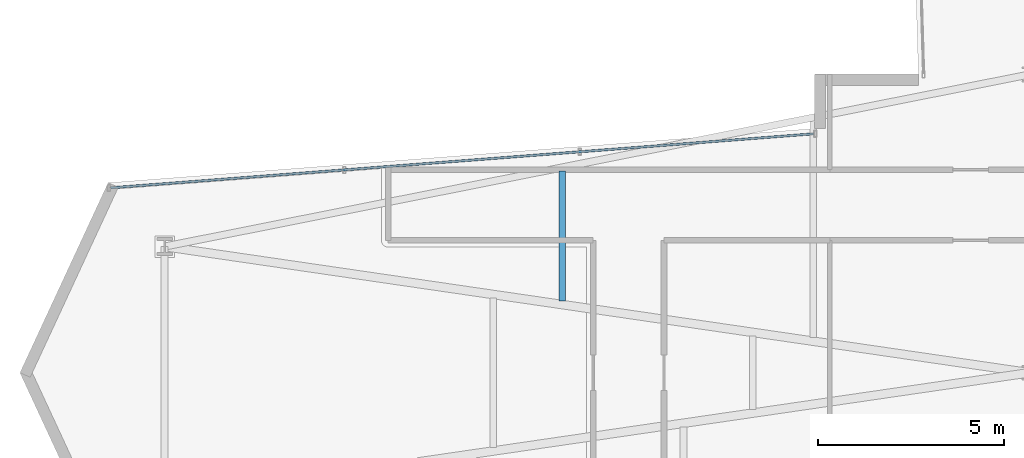
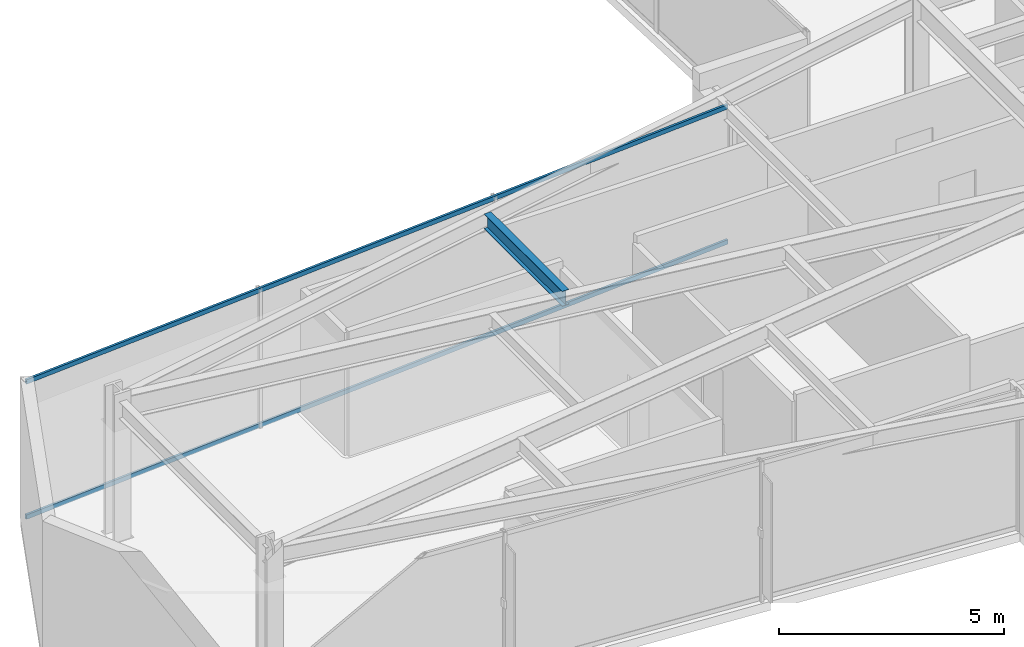
# One storey, part 9 of 30: 2 members, 1 beam, 1 element without a shape of its own.
"""IFC4 building model written with IfcOpenShell, lengths in metres."""

from ifc_helpers import new_model, si_unit, direction, frame, origin, origin_2d, place, context, subcontext, project, spatial, hollow_rectangle, i_section, extrude, material, layer, layer_set, material_profile, profile_set, type_object, element, aggregate, save


model = new_model("IFC4")

# Units and contexts
model_context = context("Model", 3, precision=1e-05, world=origin(), true_north=direction((0.0, 1.0)))
body_context = subcontext(model_context, "Body", "Model", "MODEL_VIEW")
ifc_project = project(units=[si_unit("LENGTHUNIT", "METRE"), si_unit("AREAUNIT", "SQUARE_METRE"), si_unit("VOLUMEUNIT", "CUBIC_METRE"), si_unit("PLANEANGLEUNIT", "RADIAN"), si_unit("MASSUNIT", "GRAM", prefix="KILO")], contexts=[model_context])

# Site, building, storey
site_placement = place(None, origin())
site = spatial("IfcSite", under=ifc_project, at=site_placement, CompositionType="ELEMENT")
building_placement = place(site_placement, origin())
building = spatial("IfcBuilding", under=site, at=building_placement, Name="Veymaron Broadcast Tower", CompositionType="ELEMENT")
storey_placement = place(building_placement, frame((0.0, 0.0, 37.800048828125)))
storey = spatial("IfcBuildingStorey", under=building, at=storey_placement, Name="L07", CompositionType="ELEMENT", Elevation=37.800048828125)

# Beam
ifc_material_1 = material(Name="Structural steel ASTM A992 Gr 50", Category="steel")
ifc_material_profile_1 = material_profile(ifc_material_1, i_section(OverallWidth=0.177978515625, OverallDepth=0.406982421875, WebThickness=0.0078125, FlangeThickness=0.0126953125, at=origin_2d()), Name="W410X60")
ifc_profile_set_1 = profile_set([ifc_material_profile_1], Name="Structural steel ASTM A992 Gr 50")
beam_type = type_object("IfcBeamType", Name="BM-JS1", PredefinedType="JOIST", material=ifc_profile_set_1)
beam_placement = place(storey_placement, frame((18.67578125, 25.927978515625, 3.6064453125), z_axis=(0.0, 1.0, 0.0), x_axis=(-1.0, 0.0, 0.0)))
element("IfcBeam", 1, at=beam_placement, inside=storey, type_object=beam_type, Name="L07 Arm-A secondary joist 1N", PredefinedType="JOIST", context=body_context, shape_type="SweptSolid", body=[
    extrude(i_section(OverallWidth=0.177978515625, OverallDepth=0.406982421875, WebThickness=0.0078125, FlangeThickness=0.0126953125, at=origin_2d()), origin(), (0.0, 0.0, 1.0), 3.47998046875),
])

# Curtain wall, members
ifc_material_2 = material(Name="Anodised aluminium AA 6063-T6 and laminated low-E dark glass", Category="aluminium")
ifc_layer = layer(ifc_material_2, 0.179931640625)
ifc_layer_set = layer_set([ifc_layer], Name="Anodised aluminium AA 6063-T6 and laminated low-E dark glass")
curtain_wall_type = type_object("IfcCurtainWallType", Name="CW-SYS-02", PredefinedType="NOTDEFINED", material=ifc_layer_set)
curtain_wall_placement = place(storey_placement, origin())
curtain_wall = element("IfcCurtainWall", 2, at=curtain_wall_placement, inside=storey, type_object=curtain_wall_type, Name="L07 dark-glass curtain wall CW-L07-E11-1", PredefinedType="NOTDEFINED")
ifc_material_3 = material(Name="Anodised aluminium AA 6063-T6", Category="aluminium")
ifc_material_profile_2 = material_profile(ifc_material_3, hollow_rectangle(XDim=0.06005859375, YDim=0.1201171875, WallThickness=0.00390625, at=origin_2d()), Name="AL120X60X4")
ifc_profile_set_2 = profile_set([ifc_material_profile_2], Name="Anodised aluminium AA 6063-T6")
member_type = type_object("IfcMemberType", Name="CW-TRN-02", PredefinedType="USERDEFINED", material=ifc_profile_set_2)
member_1_placement = place(storey_placement, frame((25.40869140625, 30.408447265625, 0.070068359375), z_axis=(-0.997061015336, -0.076611563729, 0.0), x_axis=(0.076611563729, -0.997061015336, 0.0)))
member_1 = element("IfcMember", 3, at=member_1_placement, type_object=member_type, Name="CW-L07-E11-1 transom B", ObjectType="TRANSOM", PredefinedType="USERDEFINED", context=body_context, shape_type="SweptSolid", body=[
    extrude(hollow_rectangle(XDim=0.06005859375, YDim=0.1201171875, WallThickness=0.00390625, at=origin_2d()), origin(), (0.0, 0.0, 1.0), 18.90380859375),
])
member_2_placement = place(storey_placement, frame((25.40869140625, 30.408447265625, 3.739990234375), z_axis=(-0.997061015336, -0.076611563729, 0.0), x_axis=(0.076611563729, -0.997061015336, 0.0)))
member_2 = element("IfcMember", 4, at=member_2_placement, type_object=member_type, Name="CW-L07-E11-1 transom T", ObjectType="TRANSOM", PredefinedType="USERDEFINED", context=body_context, shape_type="SweptSolid", body=[
    extrude(hollow_rectangle(XDim=0.06005859375, YDim=0.1201171875, WallThickness=0.00390625, at=origin_2d()), origin(), (0.0, 0.0, 1.0), 18.90380859375),
])
aggregate(curtain_wall, [member_1, member_2])

save(model, "model.ifc")
